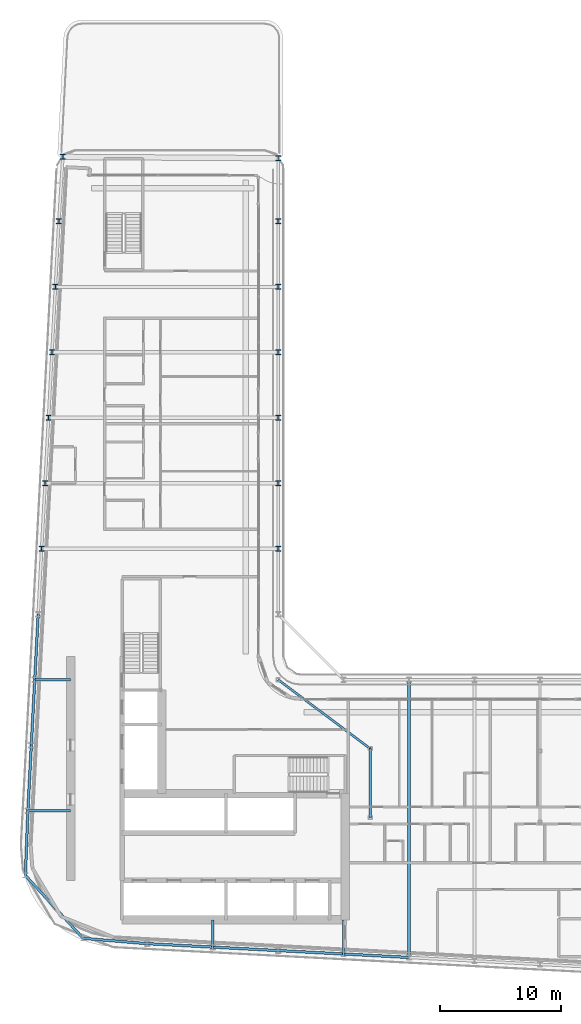
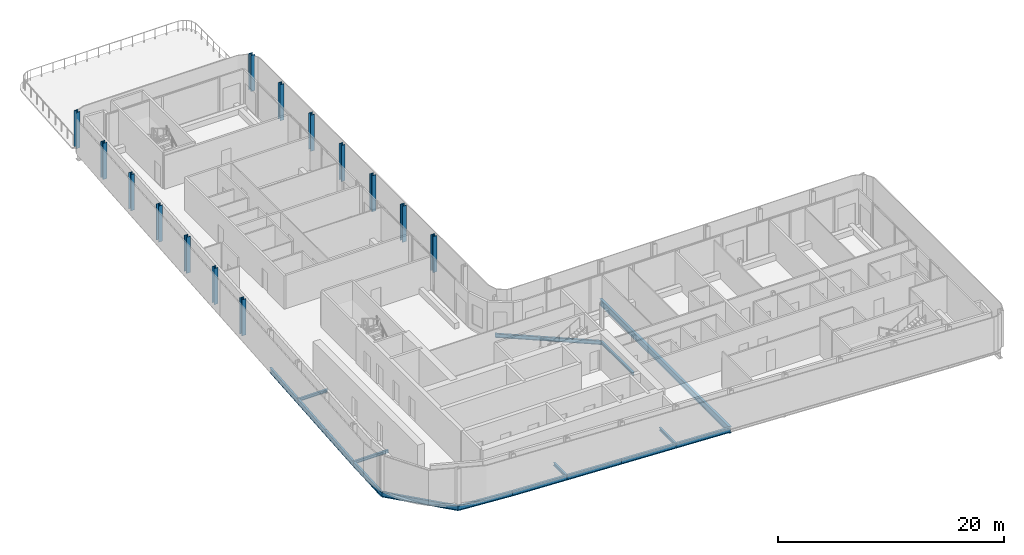
# One storey, part 3 of 22: 17 beams, 14 columns.
"""IFC4 building model written with IfcOpenShell, lengths in metres."""

from ifc_helpers import new_model, si_unit, direction, frame, origin, origin_2d, place, context, subcontext, project, spatial, i_section, extrude, material, material_profile, profile_set, type_object, element, save


model = new_model("IFC4")

# Units and contexts
model_context = context("Model", 3, precision=1e-05, world=origin(), true_north=direction((0.0, 1.0)))
body_context = subcontext(model_context, "Body", "Model", "MODEL_VIEW")
ifc_project = project(units=[si_unit("LENGTHUNIT", "METRE"), si_unit("AREAUNIT", "SQUARE_METRE"), si_unit("VOLUMEUNIT", "CUBIC_METRE"), si_unit("PLANEANGLEUNIT", "RADIAN"), si_unit("MASSUNIT", "GRAM", prefix="KILO")], contexts=[model_context])

# Site, building, storey
site_placement = place(None, origin())
site = spatial("IfcSite", under=ifc_project, at=site_placement, CompositionType="ELEMENT")
building_placement = place(site_placement, origin())
building = spatial("IfcBuilding", under=site, at=building_placement, Name="Kheshtan School and Residences Tower", CompositionType="ELEMENT")
storey_placement = place(building_placement, frame((0.0, 0.0, 216.199951171875)))
storey = spatial("IfcBuildingStorey", under=building, at=storey_placement, Name="L50", CompositionType="ELEMENT", Elevation=216.199951171875)

# Columns
ifc_material = material(Name="Steel ASTM A992 Grade 50", Category="steel")
ifc_material_profile_1 = material_profile(ifc_material, i_section(OverallWidth=0.404052734375, OverallDepth=0.406982421875, WebThickness=0.027099609375, FlangeThickness=0.043701171875, FilletRadius=0.01220703125, at=origin_2d()), Name="W360x347")
ifc_profile_set_1 = profile_set([ifc_material_profile_1], Name="Steel ASTM A992 Grade 50")
column_type = type_object("IfcColumnType", Name="Column C4 W360x347 ASTM A992 Grade 50", PredefinedType="COLUMN", material=ifc_profile_set_1)
for number, where, z_axis, x_axis, name in (
    (1, (28.10595703125, 56.39990234375, 0.0), (0.0, 0.0, 1.0), (1.0, 0.0, 0.0), "Column C080"),
    (2, (47.60009765625, 56.39990234375, 0.0), (0.0, 0.0, 1.0), (1.0, 0.0, 0.0), "Column C081"),
    (3, (28.389892578125, 61.800048828125, 0.0), (0.0, 0.0, 1.0), (1.0, 0.0, 0.0), "Column C082"),
    (4, (47.60009765625, 61.800048828125, 0.0), (0.0, 0.0, 1.0), (1.0, 0.0, 0.0), "Column C083"),
    (5, (28.674072265625, 67.199951171875, 0.0), (0.0, 0.0, 1.0), (1.0, 0.0, 0.0), "Column C084"),
    (6, (47.60009765625, 67.199951171875, 0.0), (0.0, 0.0, 1.0), (1.0, 0.0, 0.0), "Column C085"),
    (7, (28.9580078125, 72.60009765625, 0.0), (0.0, 0.0, 1.0), (1.0, 0.0, 0.0), "Column C086"),
    (8, (47.60009765625, 72.60009765625, 0.0), (0.0, 0.0, 1.0), (1.0, 0.0, 0.0), "Column C087"),
    (9, (29.242919921875, 78.0, 0.0), (0.0, 0.0, 1.0), (1.0, 0.0, 0.0), "Column C088"),
    (10, (47.60009765625, 78.0, 0.0), (0.0, 0.0, 1.0), (1.0, 0.0, 0.0), "Column C089"),
    (11, (29.527099609375, 83.39990234375, 0.0), (0.0, 0.0, 1.0), (1.0, 0.0, 0.0), "Column C090"),
    (12, (47.60009765625, 83.39990234375, 0.0), (0.0, 0.0, 1.0), (1.0, 0.0, 0.0), "Column C091"),
    (13, (47.611083984375, 88.60009765625, 0.0), (0.0, 0.0, 1.0), (1.0, 0.0, 0.0), "Column C093"),
    (14, (29.85400390625, 88.7099609375, 0.0), (0.0, 0.0, 1.0), (1.0, 0.0, 0.0), "Column C096"),
):
    element("IfcColumn", number, at=place(storey_placement, frame(where, z_axis=z_axis, x_axis=x_axis)), inside=storey, type_object=column_type, Name=name, PredefinedType="COLUMN", context=body_context, shape_type="SweptSolid", body=[
        extrude(i_section(OverallWidth=0.404052734375, OverallDepth=0.406982421875, WebThickness=0.027099609375, FlangeThickness=0.043701171875, FilletRadius=0.01220703125, at=origin_2d()), origin(), (0.0, 0.0, 1.0), 3.900146484375),
    ])

# Beams
ifc_material_profile_2 = material_profile(ifc_material, i_section(OverallWidth=0.202880859375, OverallDepth=0.302978515625, WebThickness=0.007568359375, FlangeThickness=0.01318359375, FilletRadius=0.009033203125, at=origin_2d()), Name="W310x60")
ifc_profile_set_2 = profile_set([ifc_material_profile_2], Name="Steel ASTM A992 Grade 50")
beam_type_1 = type_object("IfcBeamType", Name="Beam FB1 W310x60 ASTM A992 Grade 50", PredefinedType="BEAM", material=ifc_profile_set_2)
beam_1_placement = place(storey_placement, frame((53.0, 22.97998046875, -0.301513671875), z_axis=(0.0, 1.0, 0.0), x_axis=(-1.0, 0.0, 0.0)))
element("IfcBeam", 15, at=beam_1_placement, inside=storey, type_object=beam_type_1, Name="Floor beam C019", PredefinedType="BEAM", context=body_context, shape_type="SweptSolid", body=[
    extrude(i_section(OverallWidth=0.202880859375, OverallDepth=0.302978515625, WebThickness=0.007568359375, FlangeThickness=0.01318359375, FilletRadius=0.009033203125, at=origin_2d()), origin(), (0.0, 0.0, 1.0), 2.820068359375),
])
beam_2_placement = place(storey_placement, frame((42.199951171875, 23.548095703125, -0.301513671875), z_axis=(0.0, 1.0, 0.0), x_axis=(-1.0, 0.0, 0.0)))
element("IfcBeam", 16, at=beam_2_placement, inside=storey, type_object=beam_type_1, Name="Floor beam C021", PredefinedType="BEAM", context=body_context, shape_type="SweptSolid", body=[
    extrude(i_section(OverallWidth=0.202880859375, OverallDepth=0.302978515625, WebThickness=0.007568359375, FlangeThickness=0.01318359375, FilletRadius=0.009033203125, at=origin_2d()), origin(), (0.0, 0.0, 1.0), 2.251953125),
])
beam_3_placement = place(storey_placement, frame((26.968994140625, 34.800048828125, -0.301513671875), z_axis=(1.0, 0.0, 0.0), x_axis=(0.0, 1.0, 0.0)))
element("IfcBeam", 17, at=beam_3_placement, inside=storey, type_object=beam_type_1, Name="Floor beam C052", PredefinedType="BEAM", context=body_context, shape_type="SweptSolid", body=[
    extrude(i_section(OverallWidth=0.202880859375, OverallDepth=0.302978515625, WebThickness=0.007568359375, FlangeThickness=0.01318359375, FilletRadius=0.009033203125, at=origin_2d()), origin(), (0.0, 0.0, 1.0), 3.531005859375),
])
beam_4_placement = place(storey_placement, frame((27.537109375, 45.60009765625, -0.301513671875), z_axis=(1.0, 0.0, 0.0), x_axis=(0.0, 1.0, 0.0)))
element("IfcBeam", 18, at=beam_4_placement, inside=storey, type_object=beam_type_1, Name="Floor beam C059", PredefinedType="BEAM", context=body_context, shape_type="SweptSolid", body=[
    extrude(i_section(OverallWidth=0.202880859375, OverallDepth=0.302978515625, WebThickness=0.007568359375, FlangeThickness=0.01318359375, FilletRadius=0.009033203125, at=origin_2d()), origin(), (0.0, 0.0, 1.0), 2.962890625),
])
beam_5_placement = place(storey_placement, frame((55.199951171875, 34.23193359375, -0.301513671875), z_axis=(0.0, 1.0, 0.0), x_axis=(-1.0, 0.0, 0.0)))
element("IfcBeam", 19, at=beam_5_placement, inside=storey, type_object=beam_type_1, Name="Floor beam IC", PredefinedType="BEAM", context=body_context, shape_type="SweptSolid", body=[
    extrude(i_section(OverallWidth=0.202880859375, OverallDepth=0.302978515625, WebThickness=0.007568359375, FlangeThickness=0.01318359375, FilletRadius=0.009033203125, at=origin_2d()), origin(), (0.0, 0.0, 1.0), 5.68408203125),
])
ifc_material_profile_3 = material_profile(ifc_material, i_section(OverallWidth=0.180908203125, OverallDepth=0.4169921875, WebThickness=0.010986328125, FlangeThickness=0.018310546875, FilletRadius=0.012451171875, at=origin_2d()), Name="W410x85")
ifc_profile_set_3 = profile_set([ifc_material_profile_3], Name="Steel ASTM A992 Grade 50")
beam_type_2 = type_object("IfcBeamType", Name="Beam FB3 W410x85 ASTM A992 Grade 50", PredefinedType="BEAM", material=ifc_profile_set_3)
beam_6_placement = place(storey_placement, frame((47.60009765625, 45.60009765625, -0.3583984375), z_axis=(0.800798828004, -0.598933416222, 0.0), x_axis=(0.598933416222, 0.800798828004, 0.0)))
element("IfcBeam", 20, at=beam_6_placement, inside=storey, type_object=beam_type_2, Name="Floor beam IC", PredefinedType="BEAM", context=body_context, shape_type="SweptSolid", body=[
    extrude(i_section(OverallWidth=0.180908203125, OverallDepth=0.4169921875, WebThickness=0.010986328125, FlangeThickness=0.018310546875, FilletRadius=0.012451171875, at=origin_2d()), origin(), (0.0, 0.0, 1.0), 9.490234375),
])
ifc_material_profile_4 = material_profile(ifc_material, i_section(OverallWidth=0.2529296875, OverallDepth=0.677978515625, WebThickness=0.01171875, FlangeThickness=0.016357421875, FilletRadius=0.0146484375, at=origin_2d()), Name="W690x125")
ifc_profile_set_4 = profile_set([ifc_material_profile_4], Name="Steel ASTM A992 Grade 50")
beam_type_3 = type_object("IfcBeamType", Name="Beam FB6 W690x125 ASTM A992 Grade 50", PredefinedType="BEAM", material=ifc_profile_set_4)
beam_7_placement = place(storey_placement, frame((58.39990234375, 45.60009765625, -0.489013671875), z_axis=(0.0, -1.0, 0.0), x_axis=(1.0, 0.0, 0.0)))
element("IfcBeam", 21, at=beam_7_placement, inside=storey, type_object=beam_type_3, Name="Floor beam C062", PredefinedType="BEAM", context=body_context, shape_type="SweptSolid", body=[
    extrude(i_section(OverallWidth=0.2529296875, OverallDepth=0.677978515625, WebThickness=0.01171875, FlangeThickness=0.016357421875, FilletRadius=0.0146484375, at=origin_2d()), origin(), (0.0, 0.0, 1.0), 22.905029296875),
])
ifc_material_profile_5 = material_profile(ifc_material, i_section(OverallWidth=0.208984375, OverallDepth=0.532958984375, WebThickness=0.01025390625, FlangeThickness=0.015625, FilletRadius=0.013916015625, at=origin_2d()), Name="W530x92")
ifc_profile_set_5 = profile_set([ifc_material_profile_5], Name="Steel ASTM A992 Grade 50")
beam_type_4 = type_object("IfcBeamType", Name="Beam SP3 W530x92 ASTM A992 Grade 50", PredefinedType="BEAM", material=ifc_profile_set_5)
for number, where, z_axis, x_axis, name in (
    (22, (58.39990234375, 22.695068359375, -0.41650390625), (-0.998610961136, 0.052689166816, 0.0), (-0.052689166816, -0.998610961136, 0.0), "Spandrel beam C018-C019"),
    (23, (53.0, 22.97998046875, -0.41650390625), (-0.998620447272, 0.05250906864, 0.0), (-0.05250906864, -0.998620447272, 0.0), "Spandrel beam C019-C020"),
):
    element("IfcBeam", number, at=place(storey_placement, frame(where, z_axis=z_axis, x_axis=x_axis)), inside=storey, type_object=beam_type_4, Name=name, PredefinedType="BEAM", context=body_context, shape_type="SweptSolid", body=[
        extrude(i_section(OverallWidth=0.208984375, OverallDepth=0.532958984375, WebThickness=0.01025390625, FlangeThickness=0.015625, FilletRadius=0.013916015625, at=origin_2d()), origin(), (0.0, 0.0, 1.0), 5.407470703125),
    ])
beam_8_placement = place(storey_placement, frame((47.60009765625, 23.263916015625, -0.41650390625), z_axis=(-0.998618203458, 0.052551724256, 0.0), x_axis=(-0.052551724256, -0.998618203458, 0.0)))
element("IfcBeam", 24, at=beam_8_placement, inside=storey, type_object=beam_type_4, Name="Spandrel beam C020-C021", PredefinedType="BEAM", context=body_context, shape_type="SweptSolid", body=[
    extrude(i_section(OverallWidth=0.208984375, OverallDepth=0.532958984375, WebThickness=0.01025390625, FlangeThickness=0.015625, FilletRadius=0.013916015625, at=origin_2d()), origin(), (0.0, 0.0, 1.0), 5.40771484375),
])
beam_9_placement = place(storey_placement, frame((42.199951171875, 23.548095703125, -0.41650390625), z_axis=(-0.998620447272, 0.05250906864, 0.0), x_axis=(-0.05250906864, -0.998620447272, 0.0)))
element("IfcBeam", 25, at=beam_9_placement, inside=storey, type_object=beam_type_4, Name="Spandrel beam C021-C022", PredefinedType="BEAM", context=body_context, shape_type="SweptSolid", body=[
    extrude(i_section(OverallWidth=0.208984375, OverallDepth=0.532958984375, WebThickness=0.01025390625, FlangeThickness=0.015625, FilletRadius=0.013916015625, at=origin_2d()), origin(), (0.0, 0.0, 1.0), 5.407470703125),
])
beam_10_placement = place(storey_placement, frame((36.800048828125, 23.83203125, -0.41650390625), z_axis=(-0.996554342707, 0.082942401897, 0.0), x_axis=(-0.082942401897, -0.996554342707, 0.0)))
element("IfcBeam", 26, at=beam_10_placement, inside=storey, type_object=beam_type_4, Name="Spandrel beam C022-C027", PredefinedType="BEAM", context=body_context, shape_type="SweptSolid", body=[
    extrude(i_section(OverallWidth=0.208984375, OverallDepth=0.532958984375, WebThickness=0.01025390625, FlangeThickness=0.015625, FilletRadius=0.013916015625, at=origin_2d()), origin(), (0.0, 0.0, 1.0), 5.29248046875),
])
beam_11_placement = place(storey_placement, frame((31.52587890625, 24.27099609375, -0.41650390625), z_axis=(-0.676066790823, 0.736840345221, 0.0), x_axis=(-0.736840345221, -0.676066790823, 0.0)))
element("IfcBeam", 27, at=beam_11_placement, inside=storey, type_object=beam_type_4, Name="Spandrel beam C027-C040", PredefinedType="BEAM", context=body_context, shape_type="SweptSolid", body=[
    extrude(i_section(OverallWidth=0.208984375, OverallDepth=0.532958984375, WebThickness=0.01025390625, FlangeThickness=0.015625, FilletRadius=0.013916015625, at=origin_2d()), origin(), (0.0, 0.0, 1.0), 7.042236328125),
])
beam_12_placement = place(storey_placement, frame((26.764892578125, 29.4599609375, -0.41650390625), z_axis=(0.038192751183, 0.999270390714, 0.0), x_axis=(-0.999270390714, 0.038192751183, 0.0)))
element("IfcBeam", 28, at=beam_12_placement, inside=storey, type_object=beam_type_4, Name="Spandrel beam C040-C052", PredefinedType="BEAM", context=body_context, shape_type="SweptSolid", body=[
    extrude(i_section(OverallWidth=0.208984375, OverallDepth=0.532958984375, WebThickness=0.01025390625, FlangeThickness=0.015625, FilletRadius=0.013916015625, at=origin_2d()), origin(), (0.0, 0.0, 1.0), 5.343994140625),
])
beam_13_placement = place(storey_placement, frame((26.968994140625, 34.800048828125, -0.41650390625), z_axis=(0.05250906864, 0.998620447272, 0.0), x_axis=(-0.998620447272, 0.05250906864, 0.0)))
element("IfcBeam", 29, at=beam_13_placement, inside=storey, type_object=beam_type_4, Name="Spandrel beam C052-C056", PredefinedType="BEAM", context=body_context, shape_type="SweptSolid", body=[
    extrude(i_section(OverallWidth=0.208984375, OverallDepth=0.532958984375, WebThickness=0.01025390625, FlangeThickness=0.015625, FilletRadius=0.013916015625, at=origin_2d()), origin(), (0.0, 0.0, 1.0), 5.407470703125),
])
beam_14_placement = place(storey_placement, frame((27.2529296875, 40.199951171875, -0.41650390625), z_axis=(0.052551724256, 0.998618203458, 0.0), x_axis=(-0.998618203458, 0.052551724256, 0.0)))
element("IfcBeam", 30, at=beam_14_placement, inside=storey, type_object=beam_type_4, Name="Spandrel beam C056-C059", PredefinedType="BEAM", context=body_context, shape_type="SweptSolid", body=[
    extrude(i_section(OverallWidth=0.208984375, OverallDepth=0.532958984375, WebThickness=0.01025390625, FlangeThickness=0.015625, FilletRadius=0.013916015625, at=origin_2d()), origin(), (0.0, 0.0, 1.0), 5.40771484375),
])
beam_15_placement = place(storey_placement, frame((27.537109375, 45.60009765625, -0.41650390625), z_axis=(0.052689166816, 0.998610961136, 0.0), x_axis=(-0.998610961136, 0.052689166816, 0.0)))
element("IfcBeam", 31, at=beam_15_placement, inside=storey, type_object=beam_type_4, Name="Spandrel beam C059-C078", PredefinedType="BEAM", context=body_context, shape_type="SweptSolid", body=[
    extrude(i_section(OverallWidth=0.208984375, OverallDepth=0.532958984375, WebThickness=0.01025390625, FlangeThickness=0.015625, FilletRadius=0.013916015625, at=origin_2d()), origin(), (0.0, 0.0, 1.0), 5.407470703125),
])

save(model, "model.ifc")
